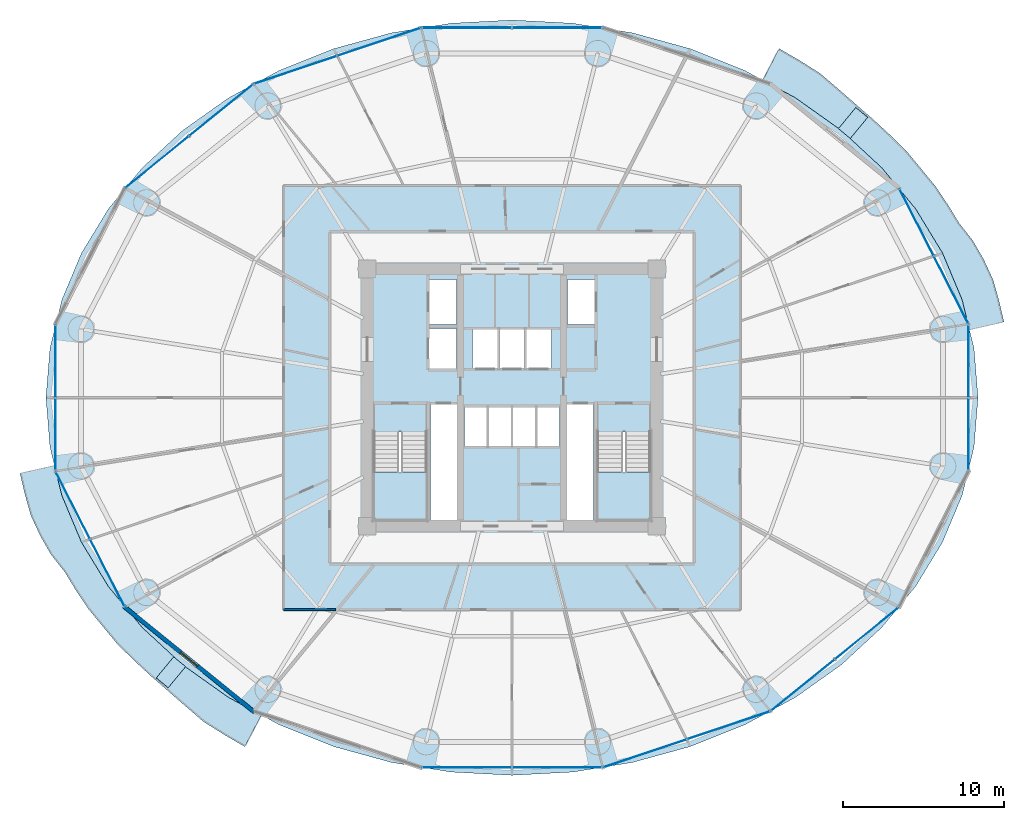
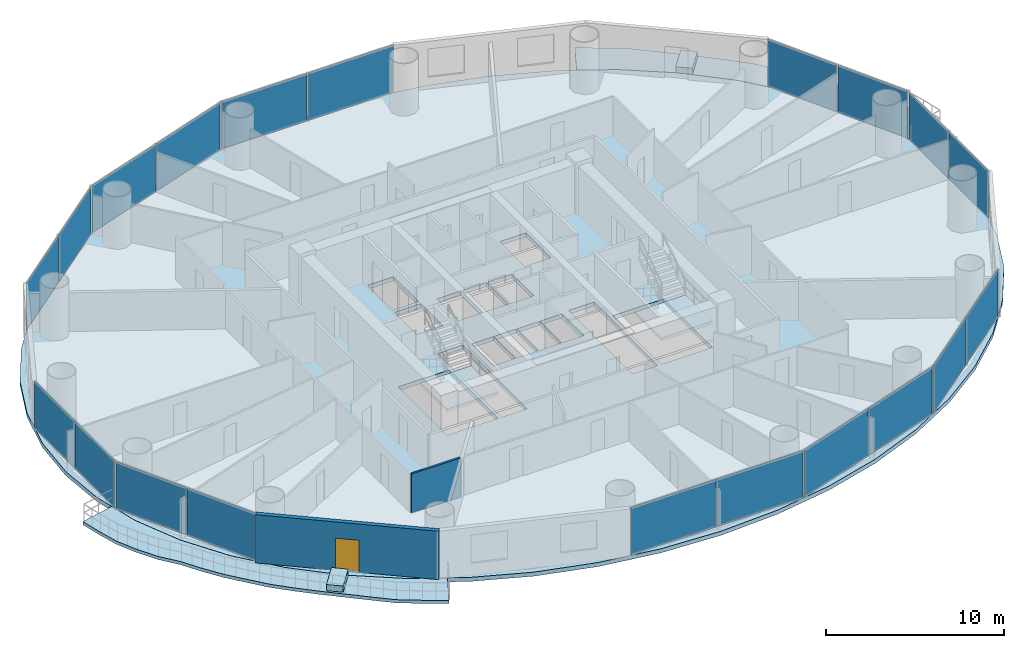
# One storey, part 21 of 29: 20 plates, 7 slabs, 2 walls, 1 door, 1 opening, 12 elements without a shape of their own.
"""IFC4 building model written with IfcOpenShell, lengths in metres."""

from ifc_helpers import new_model, si_unit, direction, frame, frame_2d, origin, origin_2d, place, context, subcontext, project, spatial, polyline, rectangle, outline, extrude, source, transform, mapped, material, layer, layer_set, type_object, element, fill, aggregate, save


model = new_model("IFC4")

# Units and contexts
model_context = context("Model", 3, precision=1e-05, world=origin(), true_north=direction((-0.2419218956, 0.970295726276)))
body_context = subcontext(model_context, "Body", "Model", "MODEL_VIEW")
ifc_project = project(units=[si_unit("LENGTHUNIT", "METRE"), si_unit("AREAUNIT", "SQUARE_METRE"), si_unit("VOLUMEUNIT", "CUBIC_METRE"), si_unit("PLANEANGLEUNIT", "RADIAN"), si_unit("MASSUNIT", "GRAM", prefix="KILO")], contexts=[model_context])

# Site, building, storey
site_placement = place(None, origin())
site = spatial("IfcSite", under=ifc_project, at=site_placement, CompositionType="ELEMENT")
building_placement = place(site_placement, origin())
building = spatial("IfcBuilding", under=site, at=building_placement, Name="Cobrevalo Terracotta Tower", CompositionType="ELEMENT")
storey_placement = place(building_placement, frame((0.0, 0.0, 45.60009765625)))
storey = spatial("IfcBuildingStorey", under=building, at=storey_placement, Name="L11", CompositionType="ELEMENT", Elevation=45.60009765625)

# Stair, slab
ifc_material_1 = material(Name="Concrete C50", Category="concrete")
stair_type = type_object("IfcStairType", Name="Core protected escape dogleg stair 1600", PredefinedType="HALF_TURN_STAIR", material=ifc_material_1)
stair_1_placement = place(storey_placement, origin())
stair_1 = element("IfcStair", 1, at=stair_1_placement, inside=storey, type_object=stair_type, Name="L11 Protected exit stair ST-1", PredefinedType="HALF_TURN_STAIR")
ifc_layer_1 = layer(ifc_material_1, 0.199951171875)
ifc_layer_set_1 = layer_set([ifc_layer_1], Name="Concrete C50")
slab_type_1 = type_object("IfcSlabType", Name="Reinforced Concrete Stair Landing 200", PredefinedType="LANDING", material=ifc_layer_set_1)
slab_1_placement = place(storey_placement, frame((0.0, 0.0, 1.599853515625)))
slab_1 = element("IfcSlab", 2, at=slab_1_placement, type_object=slab_type_1, Name="ST-1 landing 1", PredefinedType="LANDING", context=body_context, shape_type="SweptSolid", body=[
    extrude(outline(polyline([(29.375, 22.179931640625), (29.375, 19.175048828125), (32.695068359375, 19.175048828125), (32.695068359375, 22.179931640625), (29.375, 22.179931640625)])), origin(), (0.0, 0.0, 1.0), 0.199951171875),
])
aggregate(stair_1, [slab_1])

stair_2_placement = place(storey_placement, origin())
stair_2 = element("IfcStair", 3, at=stair_2_placement, inside=storey, type_object=stair_type, Name="L11 Protected exit stair ST-2", PredefinedType="HALF_TURN_STAIR")
slab_2_placement = place(storey_placement, frame((0.0, 0.0, 1.599853515625)))
slab_2 = element("IfcSlab", 4, at=slab_2_placement, type_object=slab_type_1, Name="ST-2 landing 1", PredefinedType="LANDING", context=body_context, shape_type="SweptSolid", body=[
    extrude(outline(polyline([(43.304931640625, 22.179931640625), (43.304931640625, 19.175048828125), (46.625, 19.175048828125), (46.625, 22.179931640625), (43.304931640625, 22.179931640625)])), origin(), (0.0, 0.0, 1.0), 0.199951171875),
])
aggregate(stair_2, [slab_2])

# Slabs
ifc_material_2 = material(Name="Concrete C45", Category="concrete")
ifc_layer_2 = layer(ifc_material_2, 0.219970703125)
ifc_layer_set_2 = layer_set([ifc_layer_2], Name="Concrete C45")
slab_type_2 = type_object("IfcSlabType", Name="Spiralling cantilevered balcony lobe slab 220 mm", PredefinedType="FLOOR", material=ifc_layer_set_2)
slab_3_placement = place(storey_placement, frame((0.0, 0.0, -0.22021484375)))
element("IfcSlab", 5, at=slab_3_placement, inside=storey, type_object=slab_type_2, Name="L11 spiralling arc balcony slab lobe 1", PredefinedType="FLOOR", context=body_context, shape_type="SweptSolid", body=[
    extrude(outline(polyline([(68.61572265625, 31.5107421875), (68.305908203125, 32.82763671875), (67.937255859375, 34.135498046875), (67.3603515625, 35.38134765625), (66.68115234375, 36.567138671875), (65.8203125, 37.66162109375), (65.107666015625, 38.831787109375), (64.337158203125, 39.971435546875), (63.448974609375, 41.052734375), (62.557861328125, 42.128662109375), (61.546142578125, 43.1259765625), (60.49658203125, 44.095947265625), (59.415771484375, 45.037109375), (58.310302734375, 46.004150390625), (57.187744140625, 46.967529296875), (55.924072265625, 47.7626953125), (54.621337890625, 48.520751953125), (53.602783203125, 46.556884765625), (55.6552734375, 45.4453125), (58.507568359375, 43.41845703125), (61.0087890625, 41.107177734375), (63.116455078125, 38.551025390625), (64.79443359375, 35.7939453125), (66.013671875, 32.8828125), (66.4697265625, 31.025634765625), (68.61572265625, 31.5107421875)])), origin(), (0.0, 0.0, 1.0), 0.22021484375),
])
slab_4_placement = place(storey_placement, frame((0.0, 0.0, -0.22021484375)))
element("IfcSlab", 6, at=slab_4_placement, inside=storey, type_object=slab_type_2, Name="L11 spiralling arc balcony slab lobe 2", PredefinedType="FLOOR", context=body_context, shape_type="SweptSolid", body=[
    extrude(outline(polyline([(7.38427734375, 22.08935546875), (7.694091796875, 20.7724609375), (8.062744140625, 19.464599609375), (8.6396484375, 18.218505859375), (9.31884765625, 17.032958984375), (10.1796875, 15.938232421875), (10.892333984375, 14.768310546875), (11.662841796875, 13.62841796875), (12.551025390625, 12.54736328125), (13.442138671875, 11.471435546875), (14.453857421875, 10.47412109375), (15.50341796875, 9.504150390625), (16.584228515625, 8.56298828125), (17.689697265625, 7.595947265625), (18.812255859375, 6.63232421875), (20.075927734375, 5.83740234375), (21.378662109375, 5.079345703125), (22.397216796875, 7.043212890625), (20.3447265625, 8.154541015625), (17.492431640625, 10.181640625), (14.9912109375, 12.492919921875), (12.883544921875, 15.049072265625), (11.20556640625, 17.80615234375), (9.986328125, 20.71728515625), (9.5302734375, 22.574462890625), (7.38427734375, 22.08935546875)])), origin(), (0.0, 0.0, 1.0), 0.22021484375),
])
ifc_material_3 = material(Name="Precast concrete C45", Category="concrete")
ifc_layer_3 = layer(ifc_material_3, 0.419921875)
ifc_layer_set_3 = layer_set([ifc_layer_3], Name="Precast concrete C45")
slab_type_3 = type_object("IfcSlabType", Name="Structural tree planter trough base 420 mm", PredefinedType="USERDEFINED", material=ifc_layer_set_3)
slab_5_placement = place(storey_placement, origin())
element("IfcSlab", 7, at=slab_5_placement, inside=storey, type_object=slab_type_3, Name="L11 structural tree planter trough 1", ObjectType="PLANTER", PredefinedType="USERDEFINED", context=body_context, shape_type="SweptSolid", body=[
    extrude(outline(polyline([(59.05126953125, 42.929443359375), (60.1337890625, 44.240234375), (59.3935546875, 44.8515625), (58.31103515625, 43.540771484375), (59.05126953125, 42.929443359375)])), origin(), (0.0, 0.0, 1.0), 0.419921875),
])
slab_6_placement = place(storey_placement, origin())
element("IfcSlab", 8, at=slab_6_placement, inside=storey, type_object=slab_type_3, Name="L11 structural tree planter trough 2", ObjectType="PLANTER", PredefinedType="USERDEFINED", context=body_context, shape_type="SweptSolid", body=[
    extrude(outline(polyline([(16.94873046875, 10.670654296875), (15.8662109375, 9.35986328125), (16.6064453125, 8.74853515625), (17.68896484375, 10.059326171875), (16.94873046875, 10.670654296875)])), origin(), (0.0, 0.0, 1.0), 0.419921875),
])
ifc_layer_4 = layer(ifc_material_1, 0.280029296875)
ifc_layer_set_4 = layer_set([ifc_layer_4], Name="Concrete C50")
slab_type_4 = type_object("IfcSlabType", Name="Zone Z1 elliptical floor plate 280 mm", PredefinedType="FLOOR", material=ifc_layer_set_4)
slab_7_placement = place(storey_placement, frame((0.0, 0.0, -0.280029296875)))
element("IfcSlab", 9, at=slab_7_placement, inside=storey, type_object=slab_type_4, Name="L11 indoor elliptical floor slab", PredefinedType="FLOOR", context=body_context, shape_type="SweptSolid", body=[
    extrude(outline(polyline([(66.751953125, 23.732666015625), (66.011962890625, 20.7177734375), (64.79248046875, 17.806884765625), (63.11474609375, 15.050048828125), (61.00732421875, 12.494140625), (58.506103515625, 10.18310546875), (55.654052734375, 8.15625), (52.5, 6.448486328125), (49.097900390625, 5.0888671875), (45.505859375, 4.100830078125), (41.78515625, 3.5009765625), (38.0, 3.300048828125), (34.21484375, 3.5009765625), (30.494140625, 4.100830078125), (26.902099609375, 5.0888671875), (23.5, 6.448486328125), (20.345947265625, 8.15625), (17.493896484375, 10.18310546875), (14.99267578125, 12.494140625), (12.88525390625, 15.050048828125), (11.20751953125, 17.806884765625), (9.988037109375, 20.7177734375), (9.248046875, 23.732666015625), (9.0, 26.800048828125), (9.248046875, 29.867431640625), (9.988037109375, 32.88232421875), (11.20751953125, 35.79296875), (12.88525390625, 38.550048828125), (14.99267578125, 41.10595703125), (17.493896484375, 43.4169921875), (20.345947265625, 45.44384765625), (23.5, 47.151611328125), (26.902099609375, 48.51123046875), (30.494140625, 49.499267578125), (34.21484375, 50.098876953125), (38.0, 50.300048828125), (41.78515625, 50.098876953125), (45.505859375, 49.499267578125), (49.097900390625, 48.51123046875), (52.5, 47.151611328125), (55.654052734375, 45.44384765625), (58.506103515625, 43.4169921875), (61.00732421875, 41.10595703125), (63.11474609375, 38.550048828125), (64.79248046875, 35.79296875), (66.011962890625, 32.88232421875), (66.751953125, 29.867431640625), (67.0, 26.800048828125), (66.751953125, 23.732666015625)]), holes=[polyline([(32.695068359375, 19.175048828125), (32.695068359375, 24.659912109375), (29.375, 24.659912109375), (29.375, 19.175048828125), (32.695068359375, 19.175048828125)]), polyline([(34.574951171875, 19.175048828125), (34.574951171875, 26.360107421875), (32.919921875, 26.360107421875), (32.919921875, 19.175048828125), (34.574951171875, 19.175048828125)]), polyline([(36.47998046875, 23.800048828125), (36.47998046875, 26.25), (35.050048828125, 26.25), (35.050048828125, 23.800048828125), (36.47998046875, 23.800048828125)]), polyline([(37.9599609375, 23.800048828125), (37.9599609375, 26.25), (36.530029296875, 26.25), (36.530029296875, 23.800048828125), (37.9599609375, 23.800048828125)]), polyline([(37.1201171875, 28.60009765625), (37.1201171875, 31.050048828125), (35.550048828125, 31.050048828125), (35.550048828125, 28.60009765625), (37.1201171875, 28.60009765625)]), polyline([(34.550048828125, 28.60009765625), (34.550048828125, 31.10009765625), (32.85009765625, 31.10009765625), (32.85009765625, 28.60009765625), (34.550048828125, 28.60009765625)]), polyline([(34.550048828125, 31.35009765625), (34.550048828125, 34.14990234375), (32.85009765625, 34.14990234375), (32.85009765625, 31.35009765625), (34.550048828125, 31.35009765625)]), polyline([(46.625, 19.175048828125), (46.625, 24.659912109375), (43.304931640625, 24.659912109375), (43.304931640625, 19.175048828125), (46.625, 19.175048828125)]), polyline([(43.080078125, 19.175048828125), (43.080078125, 26.360107421875), (41.425048828125, 26.360107421875), (41.425048828125, 19.175048828125), (43.080078125, 19.175048828125)]), polyline([(39.469970703125, 23.800048828125), (39.469970703125, 26.25), (38.0400390625, 26.25), (38.0400390625, 23.800048828125), (39.469970703125, 23.800048828125)]), polyline([(40.949951171875, 23.800048828125), (40.949951171875, 26.25), (39.52001953125, 26.25), (39.52001953125, 23.800048828125), (40.949951171875, 23.800048828125)]), polyline([(38.780029296875, 28.60009765625), (38.780029296875, 31.050048828125), (37.219970703125, 31.050048828125), (37.219970703125, 28.60009765625), (38.780029296875, 28.60009765625)]), polyline([(40.449951171875, 28.60009765625), (40.449951171875, 31.050048828125), (38.8798828125, 31.050048828125), (38.8798828125, 28.60009765625), (40.449951171875, 28.60009765625)]), polyline([(43.14990234375, 31.35009765625), (43.14990234375, 34.14990234375), (41.449951171875, 34.14990234375), (41.449951171875, 31.35009765625), (43.14990234375, 31.35009765625)])]), origin(), (0.0, 0.0, 1.0), 0.280029296875),
])

# Curtain wall, plates
ifc_material_4 = material(Name="Anodized aluminium", Category="aluminium")
curtain_wall_type = type_object("IfcCurtainWallType", Name="Lower-tower unitised acoustic low-E curtain wall CW-U1", PredefinedType="NOTDEFINED", material=ifc_material_4)
curtain_wall_1_placement = place(storey_placement, origin())
curtain_wall_1 = element("IfcCurtainWall", 10, at=curtain_wall_1_placement, inside=storey, type_object=curtain_wall_type, Name="L11 curtain wall CW-L11-S06", PredefinedType="NOTDEFINED")
ifc_material_5 = material(Name="Solar-control low-E double glazing", Category="glass")
ifc_layer_5 = layer(ifc_material_5, 0.028076171875)
ifc_layer_set_5 = layer_set([ifc_layer_5], Name="Solar-control low-E double glazing")
plate_type = type_object("IfcPlateType", Name="Tower solar-control low-E vision glass panel 28 mm", PredefinedType="CURTAIN_PANEL", material=ifc_layer_set_5)
shared_shape_1 = source(origin(), body_context, "Body", "SweptSolid", [
    extrude(rectangle(XDim=5.023193359375, YDim=0.035888671875, at=origin_2d()), origin(), (0.0, 0.0, 1.0), 3.239990234375),
])
plate_1_placement = place(storey_placement, frame((19.891357421875, 44.68310546875, 0.0400390625), z_axis=(0.0, 0.0, 1.0), x_axis=(-0.777007547884, -0.629491279154, 0.0)))
plate_1 = element("IfcPlate", 11, at=plate_1_placement, type_object=plate_type, Name="CW-L11-S06 glazing panel B01", PredefinedType="CURTAIN_PANEL", context=body_context, shape_type="MappedRepresentation", body=[
    mapped(shared_shape_1, transform((0.0, 0.0, 0.0), scale=1.0)),
])
plate_2_placement = place(storey_placement, frame((15.926025390625, 41.470703125, 0.0400390625), z_axis=(0.0, 0.0, 1.0), x_axis=(-0.777007547884, -0.629491279154, 0.0)))
plate_2 = element("IfcPlate", 12, at=plate_2_placement, type_object=plate_type, Name="CW-L11-S06 glazing panel B02", PredefinedType="CURTAIN_PANEL", context=body_context, shape_type="MappedRepresentation", body=[
    mapped(shared_shape_1, transform((0.0, 0.0, 0.0), scale=1.0)),
])
aggregate(curtain_wall_1, [plate_1, plate_2])

curtain_wall_2_placement = place(storey_placement, origin())
curtain_wall_2 = element("IfcCurtainWall", 13, at=curtain_wall_2_placement, inside=storey, type_object=curtain_wall_type, Name="L11 curtain wall CW-L11-S14", PredefinedType="NOTDEFINED")
plate_3_placement = place(storey_placement, frame((56.108642578125, 8.916748046875, 0.0400390625), z_axis=(0.0, 0.0, 1.0), x_axis=(0.777007547884, 0.629491279154, 0.0)))
plate_3 = element("IfcPlate", 14, at=plate_3_placement, type_object=plate_type, Name="CW-L11-S14 glazing panel B01", PredefinedType="CURTAIN_PANEL", context=body_context, shape_type="MappedRepresentation", body=[
    mapped(shared_shape_1, transform((0.0, 0.0, 0.0), scale=1.0)),
])
plate_4_placement = place(storey_placement, frame((60.073974609375, 12.12939453125, 0.0400390625), z_axis=(0.0, 0.0, 1.0), x_axis=(0.777007547884, 0.629491279154, 0.0)))
plate_4 = element("IfcPlate", 15, at=plate_4_placement, type_object=plate_type, Name="CW-L11-S14 glazing panel B02", PredefinedType="CURTAIN_PANEL", context=body_context, shape_type="MappedRepresentation", body=[
    mapped(shared_shape_1, transform((0.0, 0.0, 0.0), scale=1.0)),
])
aggregate(curtain_wall_2, [plate_3, plate_4])

curtain_wall_3_placement = place(storey_placement, origin())
curtain_wall_3 = element("IfcCurtainWall", 16, at=curtain_wall_3_placement, inside=storey, type_object=curtain_wall_type, Name="L11 curtain wall CW-L11-S05", PredefinedType="NOTDEFINED")
shared_shape_2 = source(origin(), body_context, "Body", "SweptSolid", [
    extrude(rectangle(XDim=5.3876953125, YDim=0.035888671875, at=origin_2d()), origin(), (0.0, 0.0, 1.0), 3.239990234375),
])
plate_5_placement = place(storey_placement, frame((29.718505859375, 48.9365234375, 0.0400390625), z_axis=(0.0, 0.0, 1.0), x_axis=(-0.948044172593, -0.318138722592, 0.0)))
plate_5 = element("IfcPlate", 17, at=plate_5_placement, type_object=plate_type, Name="CW-L11-S05 glazing panel B01", PredefinedType="CURTAIN_PANEL", context=body_context, shape_type="MappedRepresentation", body=[
    mapped(shared_shape_2, transform((0.0, 0.0, 0.0), scale=1.0)),
])
plate_6_placement = place(storey_placement, frame((24.534912109375, 47.197021484375, 0.0400390625), z_axis=(0.0, 0.0, 1.0), x_axis=(-0.948044172593, -0.318138722592, 0.0)))
plate_6 = element("IfcPlate", 18, at=plate_6_placement, type_object=plate_type, Name="CW-L11-S05 glazing panel B02", PredefinedType="CURTAIN_PANEL", context=body_context, shape_type="MappedRepresentation", body=[
    mapped(shared_shape_2, transform((0.0, 0.0, 0.0), scale=1.0)),
])
aggregate(curtain_wall_3, [plate_5, plate_6])

curtain_wall_4_placement = place(storey_placement, origin())
curtain_wall_4 = element("IfcCurtainWall", 19, at=curtain_wall_4_placement, inside=storey, type_object=curtain_wall_type, Name="L11 curtain wall CW-L11-S13", PredefinedType="NOTDEFINED")
plate_7_placement = place(storey_placement, frame((46.281494140625, 4.663330078125, 0.0400390625), z_axis=(0.0, 0.0, 1.0), x_axis=(0.948044172593, 0.318138722592, 0.0)))
plate_7 = element("IfcPlate", 20, at=plate_7_placement, type_object=plate_type, Name="CW-L11-S13 glazing panel B01", PredefinedType="CURTAIN_PANEL", context=body_context, shape_type="MappedRepresentation", body=[
    mapped(shared_shape_2, transform((0.0, 0.0, 0.0), scale=1.0)),
])
plate_8_placement = place(storey_placement, frame((51.465087890625, 6.40283203125, 0.0400390625), z_axis=(0.0, 0.0, 1.0), x_axis=(0.948044172593, 0.318138722592, 0.0)))
plate_8 = element("IfcPlate", 21, at=plate_8_placement, type_object=plate_type, Name="CW-L11-S13 glazing panel B02", PredefinedType="CURTAIN_PANEL", context=body_context, shape_type="MappedRepresentation", body=[
    mapped(shared_shape_2, transform((0.0, 0.0, 0.0), scale=1.0)),
])
aggregate(curtain_wall_4, [plate_7, plate_8])

curtain_wall_5_placement = place(storey_placement, origin())
curtain_wall_5 = element("IfcCurtainWall", 22, at=curtain_wall_5_placement, inside=storey, type_object=curtain_wall_type, Name="L11 curtain wall CW-L11-S04", PredefinedType="NOTDEFINED")
shared_shape_3 = source(origin(), body_context, "Body", "SweptSolid", [
    extrude(rectangle(XDim=5.53173828125, YDim=0.035888671875, at=origin_2d()), origin(), (0.0, 0.0, 1.0), 3.239990234375),
])
plate_9_placement = place(storey_placement, frame((40.805908203125, 49.819091796875, 0.0400390625), z_axis=(0.0, 0.0, 1.0), x_axis=(-1.0, 0.0, 0.0)))
plate_9 = element("IfcPlate", 23, at=plate_9_placement, type_object=plate_type, Name="CW-L11-S04 glazing panel B01", PredefinedType="CURTAIN_PANEL", context=body_context, shape_type="MappedRepresentation", body=[
    mapped(shared_shape_3, transform((0.0, 0.0, 0.0), scale=1.0)),
])
plate_10_placement = place(storey_placement, frame((35.194091796875, 49.819091796875, 0.0400390625), z_axis=(0.0, 0.0, 1.0), x_axis=(-1.0, 0.0, 0.0)))
plate_10 = element("IfcPlate", 24, at=plate_10_placement, type_object=plate_type, Name="CW-L11-S04 glazing panel B02", PredefinedType="CURTAIN_PANEL", context=body_context, shape_type="MappedRepresentation", body=[
    mapped(shared_shape_3, transform((0.0, 0.0, 0.0), scale=1.0)),
])
aggregate(curtain_wall_5, [plate_9, plate_10])

curtain_wall_6_placement = place(storey_placement, origin())
curtain_wall_6 = element("IfcCurtainWall", 25, at=curtain_wall_6_placement, inside=storey, type_object=curtain_wall_type, Name="L11 curtain wall CW-L11-S12", PredefinedType="NOTDEFINED")
plate_11_placement = place(storey_placement, frame((35.194091796875, 3.781005859375, 0.0400390625), z_axis=(0.0, 0.0, 1.0), x_axis=(1.0, 0.0, 0.0)))
plate_11 = element("IfcPlate", 26, at=plate_11_placement, type_object=plate_type, Name="CW-L11-S12 glazing panel B01", PredefinedType="CURTAIN_PANEL", context=body_context, shape_type="MappedRepresentation", body=[
    mapped(shared_shape_3, transform((0.0, 0.0, 0.0), scale=1.0)),
])
plate_12_placement = place(storey_placement, frame((40.805908203125, 3.781005859375, 0.0400390625), z_axis=(0.0, 0.0, 1.0), x_axis=(1.0, 0.0, 0.0)))
plate_12 = element("IfcPlate", 27, at=plate_12_placement, type_object=plate_type, Name="CW-L11-S12 glazing panel B02", PredefinedType="CURTAIN_PANEL", context=body_context, shape_type="MappedRepresentation", body=[
    mapped(shared_shape_3, transform((0.0, 0.0, 0.0), scale=1.0)),
])
aggregate(curtain_wall_6, [plate_11, plate_12])

curtain_wall_7_placement = place(storey_placement, origin())
curtain_wall_7 = element("IfcCurtainWall", 28, at=curtain_wall_7_placement, inside=storey, type_object=curtain_wall_type, Name="L11 curtain wall CW-L11-S08", PredefinedType="NOTDEFINED")
shared_shape_4 = source(origin(), body_context, "Body", "SweptSolid", [
    extrude(rectangle(XDim=4.458740234375, YDim=0.035888671875, at=origin_2d()), origin(), (0.0, 0.0, 1.0), 3.239990234375),
])
plate_13_placement = place(storey_placement, frame((9.586669921875, 29.0693359375, 0.0400390625), z_axis=(0.0, 0.0, 1.0), x_axis=(0.0, -1.0, 0.0)))
plate_13 = element("IfcPlate", 29, at=plate_13_placement, type_object=plate_type, Name="CW-L11-S08 glazing panel B01", PredefinedType="CURTAIN_PANEL", context=body_context, shape_type="MappedRepresentation", body=[
    mapped(shared_shape_4, transform((0.0, 0.0, 0.0), scale=1.0)),
])
plate_14_placement = place(storey_placement, frame((9.586669921875, 24.530517578125, 0.0400390625), z_axis=(0.0, 0.0, 1.0), x_axis=(0.0, -1.0, 0.0)))
plate_14 = element("IfcPlate", 30, at=plate_14_placement, type_object=plate_type, Name="CW-L11-S08 glazing panel B02", PredefinedType="CURTAIN_PANEL", context=body_context, shape_type="MappedRepresentation", body=[
    mapped(shared_shape_4, transform((0.0, 0.0, 0.0), scale=1.0)),
])
aggregate(curtain_wall_7, [plate_13, plate_14])

curtain_wall_8_placement = place(storey_placement, origin())
curtain_wall_8 = element("IfcCurtainWall", 31, at=curtain_wall_8_placement, inside=storey, type_object=curtain_wall_type, Name="L11 curtain wall CW-L11-S16", PredefinedType="NOTDEFINED")
plate_15_placement = place(storey_placement, frame((66.413330078125, 24.530517578125, 0.0400390625), z_axis=(0.0, 0.0, 1.0), x_axis=(0.0, 1.0, 0.0)))
plate_15 = element("IfcPlate", 32, at=plate_15_placement, type_object=plate_type, Name="CW-L11-S16 glazing panel B01", PredefinedType="CURTAIN_PANEL", context=body_context, shape_type="MappedRepresentation", body=[
    mapped(shared_shape_4, transform((0.0, 0.0, 0.0), scale=1.0)),
])
plate_16_placement = place(storey_placement, frame((66.413330078125, 29.0693359375, 0.0400390625), z_axis=(0.0, 0.0, 1.0), x_axis=(0.0, 1.0, 0.0)))
plate_16 = element("IfcPlate", 33, at=plate_16_placement, type_object=plate_type, Name="CW-L11-S16 glazing panel B02", PredefinedType="CURTAIN_PANEL", context=body_context, shape_type="MappedRepresentation", body=[
    mapped(shared_shape_4, transform((0.0, 0.0, 0.0), scale=1.0)),
])
aggregate(curtain_wall_8, [plate_15, plate_16])

curtain_wall_9_placement = place(storey_placement, origin())
curtain_wall_9 = element("IfcCurtainWall", 34, at=curtain_wall_9_placement, inside=storey, type_object=curtain_wall_type, Name="L11 curtain wall CW-L11-S01", PredefinedType="NOTDEFINED")
shared_shape_5 = source(origin(), body_context, "Body", "SweptSolid", [
    extrude(rectangle(XDim=4.631103515625, YDim=0.035888671875, at=origin_2d()), origin(), (0.0, 0.0, 1.0), 3.239990234375),
])
plate_17_placement = place(storey_placement, frame((65.32275390625, 33.51171875, 0.0400390625), z_axis=(0.0, 0.0, 1.0), x_axis=(-0.45523102861, 0.890373354605, 0.0)))
plate_17 = element("IfcPlate", 35, at=plate_17_placement, type_object=plate_type, Name="CW-L11-S01 glazing panel B01", PredefinedType="CURTAIN_PANEL", context=body_context, shape_type="MappedRepresentation", body=[
    mapped(shared_shape_5, transform((0.0, 0.0, 0.0), scale=1.0)),
])
plate_18_placement = place(storey_placement, frame((63.17822265625, 37.706298828125, 0.0400390625), z_axis=(0.0, 0.0, 1.0), x_axis=(-0.45523102861, 0.890373354605, 0.0)))
plate_18 = element("IfcPlate", 36, at=plate_18_placement, type_object=plate_type, Name="CW-L11-S01 glazing panel B02", PredefinedType="CURTAIN_PANEL", context=body_context, shape_type="MappedRepresentation", body=[
    mapped(shared_shape_5, transform((0.0, 0.0, 0.0), scale=1.0)),
])
aggregate(curtain_wall_9, [plate_17, plate_18])

curtain_wall_10_placement = place(storey_placement, origin())
curtain_wall_10 = element("IfcCurtainWall", 37, at=curtain_wall_10_placement, inside=storey, type_object=curtain_wall_type, Name="L11 curtain wall CW-L11-S09", PredefinedType="NOTDEFINED")
plate_19_placement = place(storey_placement, frame((10.67724609375, 20.08837890625, 0.0400390625), z_axis=(0.0, 0.0, 1.0), x_axis=(0.45523102861, -0.890373354605, 0.0)))
plate_19 = element("IfcPlate", 38, at=plate_19_placement, type_object=plate_type, Name="CW-L11-S09 glazing panel B01", PredefinedType="CURTAIN_PANEL", context=body_context, shape_type="MappedRepresentation", body=[
    mapped(shared_shape_5, transform((0.0, 0.0, 0.0), scale=1.0)),
])
plate_20_placement = place(storey_placement, frame((12.82177734375, 15.893798828125, 0.0400390625), z_axis=(0.0, 0.0, 1.0), x_axis=(0.45523102861, -0.890373354605, 0.0)))
plate_20 = element("IfcPlate", 39, at=plate_20_placement, type_object=plate_type, Name="CW-L11-S09 glazing panel B02", PredefinedType="CURTAIN_PANEL", context=body_context, shape_type="MappedRepresentation", body=[
    mapped(shared_shape_5, transform((0.0, 0.0, 0.0), scale=1.0)),
])
aggregate(curtain_wall_10, [plate_19, plate_20])

# Wall, opening, door
ifc_material_6 = material(Name="Autoclaved aerated concrete block", Category="concrete")
ifc_layer_6 = layer(ifc_material_6, 0.260009765625)
ifc_layer_set_6 = layer_set([ifc_layer_6], Name="Autoclaved aerated concrete block")
wall_type_1 = type_object("IfcWallType", Name="Recessed balcony loggia insulated exterior wall 260 mm", PredefinedType="SOLIDWALL", material=ifc_layer_set_6)
wall_1_placement = place(storey_placement, frame((13.85009765625, 13.81103515625, 0.0), z_axis=(0.0, 0.0, 1.0), x_axis=(0.777016782851, -0.629479879875, 0.0)))
wall_1 = element("IfcWall", 40, at=wall_1_placement, inside=storey, type_object=wall_type_1, Name="L11 balcony loggia wall S10", PredefinedType="SOLIDWALL", context=body_context, shape_type="SweptSolid", body=[
    extrude(rectangle(XDim=10.446533203125, YDim=0.260009765625, at=frame_2d((5.22314453125, 0.0))), origin(), (0.0, 0.0, 1.0), 3.31982421875),
])
opening_placement = place(wall_1_placement, frame((4.54833984375, 0.0, 0.0)))
opening = element("IfcOpeningElement", 41, at=opening_placement, cuts=wall_1, Name="Opening ED-05", PredefinedType="OPENING", context=body_context, shape_type="SweptSolid", body=[
    extrude(rectangle(XDim=1.35009765625, YDim=2.199951171875, at=frame_2d((0.675048828125, 1.10009765625))), frame((0.0, 0.14013671875, 0.0), z_axis=(0.0, -1.0, 0.0), x_axis=(1.0, 0.0, 0.0)), (0.0, 0.0, 1.0), 0.280029296875),
])
ifc_material_7 = material(Name="Anodized aluminium and laminated glass", Category="aluminium")
door_type = type_object("IfcDoorType", Name="Suite balcony acoustic glazed terrace door 1350x2200", OperationType="NOTDEFINED", PredefinedType="DOOR", material=ifc_material_7)
shared_shape_6 = source(origin(), body_context, "Body", "SweptSolid", [
    extrude(rectangle(XDim=1.35009765625, YDim=2.199951171875, at=frame_2d((0.675048828125, 1.10009765625))), frame((0.0, 0.02490234375, 0.0), z_axis=(0.0, -1.0, 0.0), x_axis=(1.0, 0.0, 0.0)), (0.0, 0.0, 1.0), 0.050048828125),
])
door_placement = place(opening_placement, frame((1.35009765625, 0.0, 0.0), z_axis=(0.0, 0.0, 1.0), x_axis=(-1.0, 0.0, 0.0)))
door = element("IfcDoor", 42, at=door_placement, inside=storey, type_object=door_type, Name="L11 glazed balcony terrace door 2", OperationType="SINGLE_SWING_RIGHT", OverallHeight=2.199951171875, OverallWidth=1.35009765625, PredefinedType="DOOR", context=body_context, shape_type="MappedRepresentation", body=[
    mapped(shared_shape_6, transform((0.0, 0.0, 0.0), scale=1.0)),
])
fill(opening, door)

# Wall
ifc_material_8 = material(Name="Gypsum board on steel stud", Category="steel")
ifc_layer_7 = layer(ifc_material_8, 0.1201171875)
ifc_layer_set_7 = layer_set([ifc_layer_7], Name="Gypsum board on steel stud")
wall_type_2 = type_object("IfcWallType", Name="Residential internal acoustic stud partition 120 mm", PredefinedType="PARTITIONING", material=ifc_layer_set_7)
wall_2_placement = place(storey_placement, frame((27.017822265625, 13.60498046875, 0.0), z_axis=(0.0, 0.0, 1.0), x_axis=(-1.0, 0.0, 0.0)))
element("IfcWall", 43, at=wall_2_placement, inside=storey, type_object=wall_type_2, Name="L11 interior partition IW-L11-U3-RING0_0", PredefinedType="PARTITIONING", context=body_context, shape_type="SweptSolid", body=[
    extrude(rectangle(XDim=3.212890625, YDim=0.1201171875, at=frame_2d((1.6064453125, 0.0))), origin(), (0.0, 0.0, 1.0), 2.68798828125),
])

save(model, "model.ifc")
